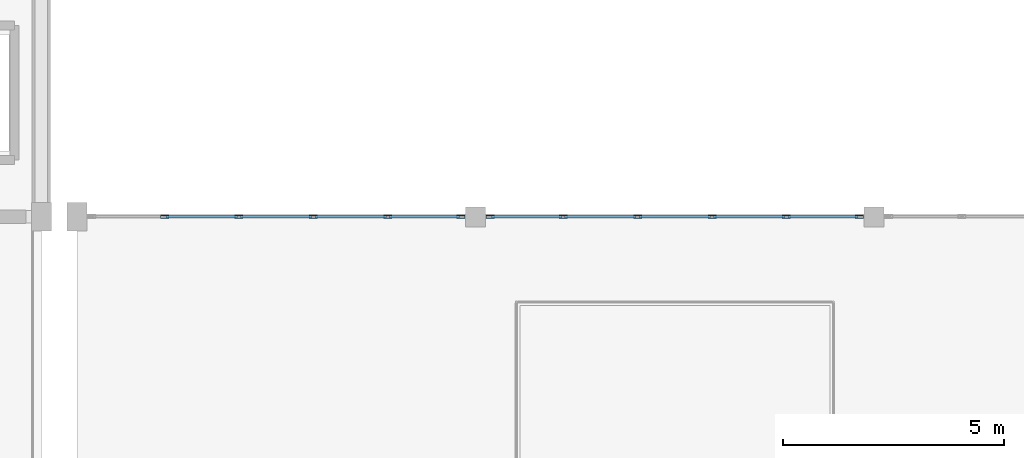
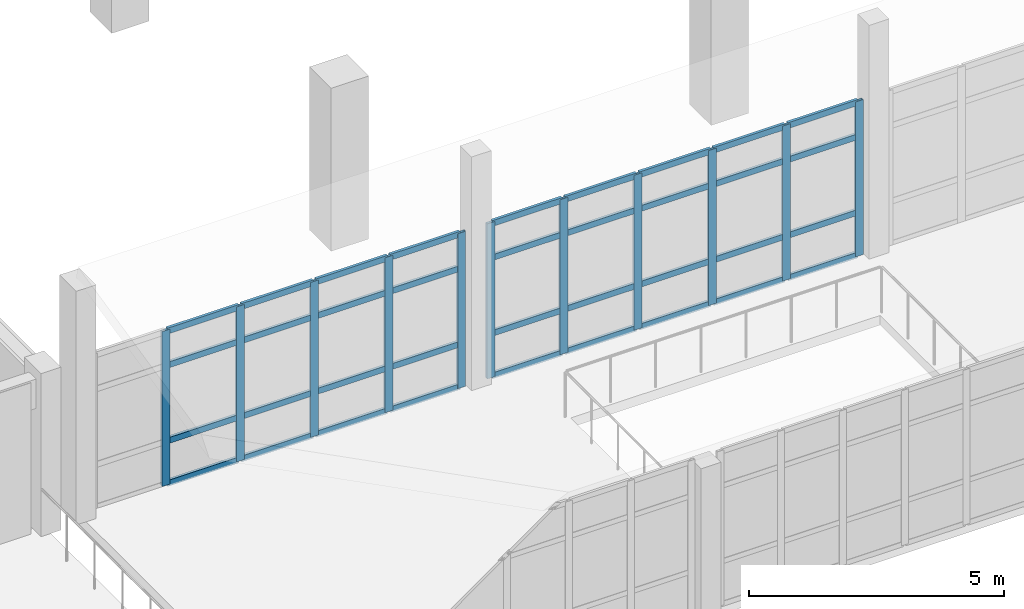
# One storey, part 78 of 156: 47 members, 2 elements without a shape of their own.
"""IFC4 building model written with IfcOpenShell, lengths in metres."""

from ifc_helpers import new_model, si_unit, direction, frame, origin, origin_2d, place, context, subcontext, project, spatial, hollow_rectangle, extrude, material, layer, layer_set, material_profile, profile_set, type_object, element, aggregate, save


model = new_model("IFC4")

# Units and contexts
model_context = context("Model", 3, precision=1e-05, world=origin(), true_north=direction((0.0, 1.0)))
body_context = subcontext(model_context, "Body", "Model", "MODEL_VIEW")
ifc_project = project(units=[si_unit("LENGTHUNIT", "METRE"), si_unit("AREAUNIT", "SQUARE_METRE"), si_unit("VOLUMEUNIT", "CUBIC_METRE"), si_unit("PLANEANGLEUNIT", "RADIAN"), si_unit("MASSUNIT", "GRAM", prefix="KILO")], contexts=[model_context])

# Site, building, storey
site_placement = place(None, origin())
site = spatial("IfcSite", under=ifc_project, at=site_placement, CompositionType="ELEMENT")
building_placement = place(site_placement, origin())
building = spatial("IfcBuilding", under=site, at=building_placement, Name="Ornek Quay Market", CompositionType="ELEMENT")
storey_placement = place(building_placement, frame((0.0, 0.0, 4.5)))
storey = spatial("IfcBuildingStorey", under=building, at=storey_placement, Name="L01", CompositionType="ELEMENT", Elevation=4.5)

# Curtain wall, members
ifc_material_1 = material(Name="Anodised bronze aluminium and triple low-e glass", Category="aluminium")
ifc_layer = layer(ifc_material_1, 0.199951171875, Name="Anodised bronze aluminium and triple low-e glass", Category="aluminium")
ifc_layer_set = layer_set([ifc_layer], Name="Anodised bronze aluminium and triple low-e glass")
curtain_wall_type = type_object("IfcCurtainWallType", Name="CW-CONC-MOD1800", PredefinedType="USERDEFINED", material=ifc_layer_set)
curtain_wall_1_placement = place(storey_placement, origin())
curtain_wall_1 = element("IfcCurtainWall", 1, at=curtain_wall_1_placement, inside=storey, type_object=curtain_wall_type, Name="Curtain wall CW-035", ObjectType="CURTAIN WALL", PredefinedType="USERDEFINED")
ifc_material_2 = material(Name="Anodised aluminium 6063-T6", Category="aluminium")
ifc_material_profile_1 = material_profile(ifc_material_2, hollow_rectangle(XDim=0.06494140625, YDim=0.179931640625, WallThickness=0.00439453125, at=origin_2d()), Name="CW-MUL-65x180", Category="aluminium")
ifc_profile_set_1 = profile_set([ifc_material_profile_1], Name="Anodised aluminium 6063-T6")
member_type_1 = type_object("IfcMemberType", Name="CW-MUL-65x180", PredefinedType="MULLION", material=ifc_profile_set_1)
member_1_placement = place(storey_placement, frame((127.97998046875, 29.0, 0.0), z_axis=(0.0, 0.0, 1.0), x_axis=(0.0, 1.0, 0.0)))
member_1 = element("IfcMember", 2, at=member_1_placement, type_object=member_type_1, Name="CW-035 mullion 2", PredefinedType="MULLION", context=body_context, shape_type="SweptSolid", body=[
    extrude(hollow_rectangle(XDim=0.06494140625, YDim=0.179931640625, WallThickness=0.00439453125, at=origin_2d()), origin(), (0.0, 0.0, 1.0), 3.7099609375),
])
member_2_placement = place(storey_placement, frame((129.659912109375, 29.0, 0.0), z_axis=(0.0, 0.0, 1.0), x_axis=(0.0, 1.0, 0.0)))
member_2 = element("IfcMember", 3, at=member_2_placement, type_object=member_type_1, Name="CW-035 mullion 3", PredefinedType="MULLION", context=body_context, shape_type="SweptSolid", body=[
    extrude(hollow_rectangle(XDim=0.06494140625, YDim=0.179931640625, WallThickness=0.00439453125, at=origin_2d()), origin(), (0.0, 0.0, 1.0), 3.7099609375),
])
member_3_placement = place(storey_placement, frame((131.340087890625, 29.0, 0.0), z_axis=(0.0, 0.0, 1.0), x_axis=(0.0, 1.0, 0.0)))
member_3 = element("IfcMember", 4, at=member_3_placement, type_object=member_type_1, Name="CW-035 mullion 4", PredefinedType="MULLION", context=body_context, shape_type="SweptSolid", body=[
    extrude(hollow_rectangle(XDim=0.06494140625, YDim=0.179931640625, WallThickness=0.00439453125, at=origin_2d()), origin(), (0.0, 0.0, 1.0), 3.7099609375),
])
member_4_placement = place(storey_placement, frame((133.02001953125, 29.0, 0.0), z_axis=(0.0, 0.0, 1.0), x_axis=(0.0, 1.0, 0.0)))
member_4 = element("IfcMember", 5, at=member_4_placement, type_object=member_type_1, Name="CW-035 mullion 5", PredefinedType="MULLION", context=body_context, shape_type="SweptSolid", body=[
    extrude(hollow_rectangle(XDim=0.06494140625, YDim=0.179931640625, WallThickness=0.00439453125, at=origin_2d()), origin(), (0.0, 0.0, 1.0), 3.7099609375),
])
member_5_placement = place(storey_placement, frame((134.66748046875, 29.0, 0.0), z_axis=(0.0, 0.0, 1.0), x_axis=(0.0, 1.0, 0.0)))
member_5 = element("IfcMember", 6, at=member_5_placement, type_object=member_type_1, Name="CW-035 mullion 6", PredefinedType="MULLION", context=body_context, shape_type="SweptSolid", body=[
    extrude(hollow_rectangle(XDim=0.06494140625, YDim=0.179931640625, WallThickness=0.00439453125, at=origin_2d()), origin(), (0.0, 0.0, 1.0), 3.7099609375),
])

curtain_wall_2_placement = place(storey_placement, origin())
curtain_wall_2 = element("IfcCurtainWall", 7, at=curtain_wall_2_placement, inside=storey, type_object=curtain_wall_type, Name="Curtain wall CW-039", ObjectType="CURTAIN WALL", PredefinedType="USERDEFINED")
member_6_placement = place(storey_placement, frame((135.33251953125, 29.0, 0.0), z_axis=(0.0, 0.0, 1.0), x_axis=(0.0, 1.0, 0.0)))
member_6 = element("IfcMember", 8, at=member_6_placement, type_object=member_type_1, Name="CW-039 mullion 1", PredefinedType="MULLION", context=body_context, shape_type="SweptSolid", body=[
    extrude(hollow_rectangle(XDim=0.06494140625, YDim=0.179931640625, WallThickness=0.00439453125, at=origin_2d()), origin(), (0.0, 0.0, 1.0), 3.7099609375),
])
member_7_placement = place(storey_placement, frame((136.97998046875, 29.0, 0.0), z_axis=(0.0, 0.0, 1.0), x_axis=(0.0, 1.0, 0.0)))
member_7 = element("IfcMember", 9, at=member_7_placement, type_object=member_type_1, Name="CW-039 mullion 2", PredefinedType="MULLION", context=body_context, shape_type="SweptSolid", body=[
    extrude(hollow_rectangle(XDim=0.06494140625, YDim=0.179931640625, WallThickness=0.00439453125, at=origin_2d()), origin(), (0.0, 0.0, 1.0), 3.7099609375),
])
member_8_placement = place(storey_placement, frame((138.659912109375, 29.0, 0.0), z_axis=(0.0, 0.0, 1.0), x_axis=(0.0, 1.0, 0.0)))
member_8 = element("IfcMember", 10, at=member_8_placement, type_object=member_type_1, Name="CW-039 mullion 3", PredefinedType="MULLION", context=body_context, shape_type="SweptSolid", body=[
    extrude(hollow_rectangle(XDim=0.06494140625, YDim=0.179931640625, WallThickness=0.00439453125, at=origin_2d()), origin(), (0.0, 0.0, 1.0), 3.7099609375),
])
member_9_placement = place(storey_placement, frame((140.340087890625, 29.0, 0.0), z_axis=(0.0, 0.0, 1.0), x_axis=(0.0, 1.0, 0.0)))
member_9 = element("IfcMember", 11, at=member_9_placement, type_object=member_type_1, Name="CW-039 mullion 4", PredefinedType="MULLION", context=body_context, shape_type="SweptSolid", body=[
    extrude(hollow_rectangle(XDim=0.06494140625, YDim=0.179931640625, WallThickness=0.00439453125, at=origin_2d()), origin(), (0.0, 0.0, 1.0), 3.7099609375),
])
member_10_placement = place(storey_placement, frame((142.02001953125, 29.0, 0.0), z_axis=(0.0, 0.0, 1.0), x_axis=(0.0, 1.0, 0.0)))
member_10 = element("IfcMember", 12, at=member_10_placement, type_object=member_type_1, Name="CW-039 mullion 5", PredefinedType="MULLION", context=body_context, shape_type="SweptSolid", body=[
    extrude(hollow_rectangle(XDim=0.06494140625, YDim=0.179931640625, WallThickness=0.00439453125, at=origin_2d()), origin(), (0.0, 0.0, 1.0), 3.7099609375),
])
member_11_placement = place(storey_placement, frame((143.66748046875, 29.0, 0.0), z_axis=(0.0, 0.0, 1.0), x_axis=(0.0, 1.0, 0.0)))
member_11 = element("IfcMember", 13, at=member_11_placement, type_object=member_type_1, Name="CW-039 mullion 6", PredefinedType="MULLION", context=body_context, shape_type="SweptSolid", body=[
    extrude(hollow_rectangle(XDim=0.06494140625, YDim=0.179931640625, WallThickness=0.00439453125, at=origin_2d()), origin(), (0.0, 0.0, 1.0), 3.7099609375),
])

# Member
ifc_material_profile_2 = material_profile(ifc_material_2, hollow_rectangle(XDim=0.06494140625, YDim=0.139892578125, WallThickness=0.00439453125, at=origin_2d()), Name="CW-TRN-65x140", Category="aluminium")
ifc_profile_set_2 = profile_set([ifc_material_profile_2], Name="Anodised aluminium 6063-T6")
member_type_2 = type_object("IfcMemberType", Name="CW-TRN-65x140", PredefinedType="USERDEFINED", material=ifc_profile_set_2)
member_12_placement = place(storey_placement, frame((128.012451171875, 29.0, 0.032470703125), z_axis=(1.0, 0.0, 0.0), x_axis=(0.0, 1.0, 0.0)))
member_12 = element("IfcMember", 14, at=member_12_placement, type_object=member_type_2, Name="CW-035 transom 2.1", ObjectType="TRANSOM", PredefinedType="USERDEFINED", context=body_context, shape_type="SweptSolid", body=[
    extrude(hollow_rectangle(XDim=0.06494140625, YDim=0.139892578125, WallThickness=0.00439453125, at=origin_2d()), origin(), (0.0, 0.0, 1.0), 1.614990234375),
])

member_13_placement = place(storey_placement, frame((128.012451171875, 29.0, 1.050048828125), z_axis=(1.0, 0.0, 0.0), x_axis=(0.0, 1.0, 0.0)))
member_13 = element("IfcMember", 15, at=member_13_placement, type_object=member_type_2, Name="CW-035 transom 2.2", ObjectType="TRANSOM", PredefinedType="USERDEFINED", context=body_context, shape_type="SweptSolid", body=[
    extrude(hollow_rectangle(XDim=0.06494140625, YDim=0.139892578125, WallThickness=0.00439453125, at=origin_2d()), origin(), (0.0, 0.0, 1.0), 1.614990234375),
])

member_14_placement = place(storey_placement, frame((128.012451171875, 29.0, 2.860107421875), z_axis=(1.0, 0.0, 0.0), x_axis=(0.0, 1.0, 0.0)))
member_14 = element("IfcMember", 16, at=member_14_placement, type_object=member_type_2, Name="CW-035 transom 2.3", ObjectType="TRANSOM", PredefinedType="USERDEFINED", context=body_context, shape_type="SweptSolid", body=[
    extrude(hollow_rectangle(XDim=0.06494140625, YDim=0.139892578125, WallThickness=0.00439453125, at=origin_2d()), origin(), (0.0, 0.0, 1.0), 1.614990234375),
])

member_15_placement = place(storey_placement, frame((128.012451171875, 29.0, 3.677490234375), z_axis=(1.0, 0.0, 0.0), x_axis=(0.0, 1.0, 0.0)))
member_15 = element("IfcMember", 17, at=member_15_placement, type_object=member_type_2, Name="CW-035 transom 2.4", ObjectType="TRANSOM", PredefinedType="USERDEFINED", context=body_context, shape_type="SweptSolid", body=[
    extrude(hollow_rectangle(XDim=0.06494140625, YDim=0.139892578125, WallThickness=0.00439453125, at=origin_2d()), origin(), (0.0, 0.0, 1.0), 1.614990234375),
])

member_16_placement = place(storey_placement, frame((129.6923828125, 29.0, 0.032470703125), z_axis=(1.0, 0.0, 0.0), x_axis=(0.0, 1.0, 0.0)))
member_16 = element("IfcMember", 18, at=member_16_placement, type_object=member_type_2, Name="CW-035 transom 3.1", ObjectType="TRANSOM", PredefinedType="USERDEFINED", context=body_context, shape_type="SweptSolid", body=[
    extrude(hollow_rectangle(XDim=0.06494140625, YDim=0.139892578125, WallThickness=0.00439453125, at=origin_2d()), origin(), (0.0, 0.0, 1.0), 1.615234375),
])

member_17_placement = place(storey_placement, frame((129.6923828125, 29.0, 1.050048828125), z_axis=(1.0, 0.0, 0.0), x_axis=(0.0, 1.0, 0.0)))
member_17 = element("IfcMember", 19, at=member_17_placement, type_object=member_type_2, Name="CW-035 transom 3.2", ObjectType="TRANSOM", PredefinedType="USERDEFINED", context=body_context, shape_type="SweptSolid", body=[
    extrude(hollow_rectangle(XDim=0.06494140625, YDim=0.139892578125, WallThickness=0.00439453125, at=origin_2d()), origin(), (0.0, 0.0, 1.0), 1.615234375),
])

member_18_placement = place(storey_placement, frame((129.6923828125, 29.0, 2.860107421875), z_axis=(1.0, 0.0, 0.0), x_axis=(0.0, 1.0, 0.0)))
member_18 = element("IfcMember", 20, at=member_18_placement, type_object=member_type_2, Name="CW-035 transom 3.3", ObjectType="TRANSOM", PredefinedType="USERDEFINED", context=body_context, shape_type="SweptSolid", body=[
    extrude(hollow_rectangle(XDim=0.06494140625, YDim=0.139892578125, WallThickness=0.00439453125, at=origin_2d()), origin(), (0.0, 0.0, 1.0), 1.615234375),
])

member_19_placement = place(storey_placement, frame((129.6923828125, 29.0, 3.677490234375), z_axis=(1.0, 0.0, 0.0), x_axis=(0.0, 1.0, 0.0)))
member_19 = element("IfcMember", 21, at=member_19_placement, type_object=member_type_2, Name="CW-035 transom 3.4", ObjectType="TRANSOM", PredefinedType="USERDEFINED", context=body_context, shape_type="SweptSolid", body=[
    extrude(hollow_rectangle(XDim=0.06494140625, YDim=0.139892578125, WallThickness=0.00439453125, at=origin_2d()), origin(), (0.0, 0.0, 1.0), 1.615234375),
])

member_20_placement = place(storey_placement, frame((131.37255859375, 29.0, 0.032470703125), z_axis=(1.0, 0.0, 0.0), x_axis=(0.0, 1.0, 0.0)))
member_20 = element("IfcMember", 22, at=member_20_placement, type_object=member_type_2, Name="CW-035 transom 4.1", ObjectType="TRANSOM", PredefinedType="USERDEFINED", context=body_context, shape_type="SweptSolid", body=[
    extrude(hollow_rectangle(XDim=0.06494140625, YDim=0.139892578125, WallThickness=0.00439453125, at=origin_2d()), origin(), (0.0, 0.0, 1.0), 1.614990234375),
])

member_21_placement = place(storey_placement, frame((131.37255859375, 29.0, 1.050048828125), z_axis=(1.0, 0.0, 0.0), x_axis=(0.0, 1.0, 0.0)))
member_21 = element("IfcMember", 23, at=member_21_placement, type_object=member_type_2, Name="CW-035 transom 4.2", ObjectType="TRANSOM", PredefinedType="USERDEFINED", context=body_context, shape_type="SweptSolid", body=[
    extrude(hollow_rectangle(XDim=0.06494140625, YDim=0.139892578125, WallThickness=0.00439453125, at=origin_2d()), origin(), (0.0, 0.0, 1.0), 1.614990234375),
])

member_22_placement = place(storey_placement, frame((131.37255859375, 29.0, 2.860107421875), z_axis=(1.0, 0.0, 0.0), x_axis=(0.0, 1.0, 0.0)))
member_22 = element("IfcMember", 24, at=member_22_placement, type_object=member_type_2, Name="CW-035 transom 4.3", ObjectType="TRANSOM", PredefinedType="USERDEFINED", context=body_context, shape_type="SweptSolid", body=[
    extrude(hollow_rectangle(XDim=0.06494140625, YDim=0.139892578125, WallThickness=0.00439453125, at=origin_2d()), origin(), (0.0, 0.0, 1.0), 1.614990234375),
])

member_23_placement = place(storey_placement, frame((131.37255859375, 29.0, 3.677490234375), z_axis=(1.0, 0.0, 0.0), x_axis=(0.0, 1.0, 0.0)))
member_23 = element("IfcMember", 25, at=member_23_placement, type_object=member_type_2, Name="CW-035 transom 4.4", ObjectType="TRANSOM", PredefinedType="USERDEFINED", context=body_context, shape_type="SweptSolid", body=[
    extrude(hollow_rectangle(XDim=0.06494140625, YDim=0.139892578125, WallThickness=0.00439453125, at=origin_2d()), origin(), (0.0, 0.0, 1.0), 1.614990234375),
])

member_24_placement = place(storey_placement, frame((133.052490234375, 29.0, 0.032470703125), z_axis=(1.0, 0.0, 0.0), x_axis=(0.0, 1.0, 0.0)))
member_24 = element("IfcMember", 26, at=member_24_placement, type_object=member_type_2, Name="CW-035 transom 5.1", ObjectType="TRANSOM", PredefinedType="USERDEFINED", context=body_context, shape_type="SweptSolid", body=[
    extrude(hollow_rectangle(XDim=0.06494140625, YDim=0.139892578125, WallThickness=0.00439453125, at=origin_2d()), origin(), (0.0, 0.0, 1.0), 1.58251953125),
])

member_25_placement = place(storey_placement, frame((133.052490234375, 29.0, 1.050048828125), z_axis=(1.0, 0.0, 0.0), x_axis=(0.0, 1.0, 0.0)))
member_25 = element("IfcMember", 27, at=member_25_placement, type_object=member_type_2, Name="CW-035 transom 5.2", ObjectType="TRANSOM", PredefinedType="USERDEFINED", context=body_context, shape_type="SweptSolid", body=[
    extrude(hollow_rectangle(XDim=0.06494140625, YDim=0.139892578125, WallThickness=0.00439453125, at=origin_2d()), origin(), (0.0, 0.0, 1.0), 1.58251953125),
])

member_26_placement = place(storey_placement, frame((133.052490234375, 29.0, 2.860107421875), z_axis=(1.0, 0.0, 0.0), x_axis=(0.0, 1.0, 0.0)))
member_26 = element("IfcMember", 28, at=member_26_placement, type_object=member_type_2, Name="CW-035 transom 5.3", ObjectType="TRANSOM", PredefinedType="USERDEFINED", context=body_context, shape_type="SweptSolid", body=[
    extrude(hollow_rectangle(XDim=0.06494140625, YDim=0.139892578125, WallThickness=0.00439453125, at=origin_2d()), origin(), (0.0, 0.0, 1.0), 1.58251953125),
])

member_27_placement = place(storey_placement, frame((133.052490234375, 29.0, 3.677490234375), z_axis=(1.0, 0.0, 0.0), x_axis=(0.0, 1.0, 0.0)))
member_27 = element("IfcMember", 29, at=member_27_placement, type_object=member_type_2, Name="CW-035 transom 5.4", ObjectType="TRANSOM", PredefinedType="USERDEFINED", context=body_context, shape_type="SweptSolid", body=[
    extrude(hollow_rectangle(XDim=0.06494140625, YDim=0.139892578125, WallThickness=0.00439453125, at=origin_2d()), origin(), (0.0, 0.0, 1.0), 1.58251953125),
])

aggregate(curtain_wall_1, [member_1, member_2, member_3, member_4, member_5, member_12, member_13, member_14, member_15, member_16, member_17, member_18, member_19, member_20, member_21, member_22, member_23, member_24, member_25, member_26, member_27])

member_28_placement = place(storey_placement, frame((135.364990234375, 29.0, 0.032470703125), z_axis=(1.0, 0.0, 0.0), x_axis=(0.0, 1.0, 0.0)))
member_28 = element("IfcMember", 30, at=member_28_placement, type_object=member_type_2, Name="CW-039 transom 1.1", ObjectType="TRANSOM", PredefinedType="USERDEFINED", context=body_context, shape_type="SweptSolid", body=[
    extrude(hollow_rectangle(XDim=0.06494140625, YDim=0.139892578125, WallThickness=0.00439453125, at=origin_2d()), origin(), (0.0, 0.0, 1.0), 1.58251953125),
])

member_29_placement = place(storey_placement, frame((135.364990234375, 29.0, 1.050048828125), z_axis=(1.0, 0.0, 0.0), x_axis=(0.0, 1.0, 0.0)))
member_29 = element("IfcMember", 31, at=member_29_placement, type_object=member_type_2, Name="CW-039 transom 1.2", ObjectType="TRANSOM", PredefinedType="USERDEFINED", context=body_context, shape_type="SweptSolid", body=[
    extrude(hollow_rectangle(XDim=0.06494140625, YDim=0.139892578125, WallThickness=0.00439453125, at=origin_2d()), origin(), (0.0, 0.0, 1.0), 1.58251953125),
])

member_30_placement = place(storey_placement, frame((135.364990234375, 29.0, 2.860107421875), z_axis=(1.0, 0.0, 0.0), x_axis=(0.0, 1.0, 0.0)))
member_30 = element("IfcMember", 32, at=member_30_placement, type_object=member_type_2, Name="CW-039 transom 1.3", ObjectType="TRANSOM", PredefinedType="USERDEFINED", context=body_context, shape_type="SweptSolid", body=[
    extrude(hollow_rectangle(XDim=0.06494140625, YDim=0.139892578125, WallThickness=0.00439453125, at=origin_2d()), origin(), (0.0, 0.0, 1.0), 1.58251953125),
])

member_31_placement = place(storey_placement, frame((135.364990234375, 29.0, 3.677490234375), z_axis=(1.0, 0.0, 0.0), x_axis=(0.0, 1.0, 0.0)))
member_31 = element("IfcMember", 33, at=member_31_placement, type_object=member_type_2, Name="CW-039 transom 1.4", ObjectType="TRANSOM", PredefinedType="USERDEFINED", context=body_context, shape_type="SweptSolid", body=[
    extrude(hollow_rectangle(XDim=0.06494140625, YDim=0.139892578125, WallThickness=0.00439453125, at=origin_2d()), origin(), (0.0, 0.0, 1.0), 1.58251953125),
])

member_32_placement = place(storey_placement, frame((137.012451171875, 29.0, 0.032470703125), z_axis=(1.0, 0.0, 0.0), x_axis=(0.0, 1.0, 0.0)))
member_32 = element("IfcMember", 34, at=member_32_placement, type_object=member_type_2, Name="CW-039 transom 2.1", ObjectType="TRANSOM", PredefinedType="USERDEFINED", context=body_context, shape_type="SweptSolid", body=[
    extrude(hollow_rectangle(XDim=0.06494140625, YDim=0.139892578125, WallThickness=0.00439453125, at=origin_2d()), origin(), (0.0, 0.0, 1.0), 1.614990234375),
])

member_33_placement = place(storey_placement, frame((137.012451171875, 29.0, 1.050048828125), z_axis=(1.0, 0.0, 0.0), x_axis=(0.0, 1.0, 0.0)))
member_33 = element("IfcMember", 35, at=member_33_placement, type_object=member_type_2, Name="CW-039 transom 2.2", ObjectType="TRANSOM", PredefinedType="USERDEFINED", context=body_context, shape_type="SweptSolid", body=[
    extrude(hollow_rectangle(XDim=0.06494140625, YDim=0.139892578125, WallThickness=0.00439453125, at=origin_2d()), origin(), (0.0, 0.0, 1.0), 1.614990234375),
])

member_34_placement = place(storey_placement, frame((137.012451171875, 29.0, 2.860107421875), z_axis=(1.0, 0.0, 0.0), x_axis=(0.0, 1.0, 0.0)))
member_34 = element("IfcMember", 36, at=member_34_placement, type_object=member_type_2, Name="CW-039 transom 2.3", ObjectType="TRANSOM", PredefinedType="USERDEFINED", context=body_context, shape_type="SweptSolid", body=[
    extrude(hollow_rectangle(XDim=0.06494140625, YDim=0.139892578125, WallThickness=0.00439453125, at=origin_2d()), origin(), (0.0, 0.0, 1.0), 1.614990234375),
])

member_35_placement = place(storey_placement, frame((137.012451171875, 29.0, 3.677490234375), z_axis=(1.0, 0.0, 0.0), x_axis=(0.0, 1.0, 0.0)))
member_35 = element("IfcMember", 37, at=member_35_placement, type_object=member_type_2, Name="CW-039 transom 2.4", ObjectType="TRANSOM", PredefinedType="USERDEFINED", context=body_context, shape_type="SweptSolid", body=[
    extrude(hollow_rectangle(XDim=0.06494140625, YDim=0.139892578125, WallThickness=0.00439453125, at=origin_2d()), origin(), (0.0, 0.0, 1.0), 1.614990234375),
])

member_36_placement = place(storey_placement, frame((138.6923828125, 29.0, 0.032470703125), z_axis=(1.0, 0.0, 0.0), x_axis=(0.0, 1.0, 0.0)))
member_36 = element("IfcMember", 38, at=member_36_placement, type_object=member_type_2, Name="CW-039 transom 3.1", ObjectType="TRANSOM", PredefinedType="USERDEFINED", context=body_context, shape_type="SweptSolid", body=[
    extrude(hollow_rectangle(XDim=0.06494140625, YDim=0.139892578125, WallThickness=0.00439453125, at=origin_2d()), origin(), (0.0, 0.0, 1.0), 1.615234375),
])

member_37_placement = place(storey_placement, frame((138.6923828125, 29.0, 1.050048828125), z_axis=(1.0, 0.0, 0.0), x_axis=(0.0, 1.0, 0.0)))
member_37 = element("IfcMember", 39, at=member_37_placement, type_object=member_type_2, Name="CW-039 transom 3.2", ObjectType="TRANSOM", PredefinedType="USERDEFINED", context=body_context, shape_type="SweptSolid", body=[
    extrude(hollow_rectangle(XDim=0.06494140625, YDim=0.139892578125, WallThickness=0.00439453125, at=origin_2d()), origin(), (0.0, 0.0, 1.0), 1.615234375),
])

member_38_placement = place(storey_placement, frame((138.6923828125, 29.0, 2.860107421875), z_axis=(1.0, 0.0, 0.0), x_axis=(0.0, 1.0, 0.0)))
member_38 = element("IfcMember", 40, at=member_38_placement, type_object=member_type_2, Name="CW-039 transom 3.3", ObjectType="TRANSOM", PredefinedType="USERDEFINED", context=body_context, shape_type="SweptSolid", body=[
    extrude(hollow_rectangle(XDim=0.06494140625, YDim=0.139892578125, WallThickness=0.00439453125, at=origin_2d()), origin(), (0.0, 0.0, 1.0), 1.615234375),
])

member_39_placement = place(storey_placement, frame((138.6923828125, 29.0, 3.677490234375), z_axis=(1.0, 0.0, 0.0), x_axis=(0.0, 1.0, 0.0)))
member_39 = element("IfcMember", 41, at=member_39_placement, type_object=member_type_2, Name="CW-039 transom 3.4", ObjectType="TRANSOM", PredefinedType="USERDEFINED", context=body_context, shape_type="SweptSolid", body=[
    extrude(hollow_rectangle(XDim=0.06494140625, YDim=0.139892578125, WallThickness=0.00439453125, at=origin_2d()), origin(), (0.0, 0.0, 1.0), 1.615234375),
])

member_40_placement = place(storey_placement, frame((140.37255859375, 29.0, 0.032470703125), z_axis=(1.0, 0.0, 0.0), x_axis=(0.0, 1.0, 0.0)))
member_40 = element("IfcMember", 42, at=member_40_placement, type_object=member_type_2, Name="CW-039 transom 4.1", ObjectType="TRANSOM", PredefinedType="USERDEFINED", context=body_context, shape_type="SweptSolid", body=[
    extrude(hollow_rectangle(XDim=0.06494140625, YDim=0.139892578125, WallThickness=0.00439453125, at=origin_2d()), origin(), (0.0, 0.0, 1.0), 1.614990234375),
])

member_41_placement = place(storey_placement, frame((140.37255859375, 29.0, 1.050048828125), z_axis=(1.0, 0.0, 0.0), x_axis=(0.0, 1.0, 0.0)))
member_41 = element("IfcMember", 43, at=member_41_placement, type_object=member_type_2, Name="CW-039 transom 4.2", ObjectType="TRANSOM", PredefinedType="USERDEFINED", context=body_context, shape_type="SweptSolid", body=[
    extrude(hollow_rectangle(XDim=0.06494140625, YDim=0.139892578125, WallThickness=0.00439453125, at=origin_2d()), origin(), (0.0, 0.0, 1.0), 1.614990234375),
])

member_42_placement = place(storey_placement, frame((140.37255859375, 29.0, 2.860107421875), z_axis=(1.0, 0.0, 0.0), x_axis=(0.0, 1.0, 0.0)))
member_42 = element("IfcMember", 44, at=member_42_placement, type_object=member_type_2, Name="CW-039 transom 4.3", ObjectType="TRANSOM", PredefinedType="USERDEFINED", context=body_context, shape_type="SweptSolid", body=[
    extrude(hollow_rectangle(XDim=0.06494140625, YDim=0.139892578125, WallThickness=0.00439453125, at=origin_2d()), origin(), (0.0, 0.0, 1.0), 1.614990234375),
])

member_43_placement = place(storey_placement, frame((140.37255859375, 29.0, 3.677490234375), z_axis=(1.0, 0.0, 0.0), x_axis=(0.0, 1.0, 0.0)))
member_43 = element("IfcMember", 45, at=member_43_placement, type_object=member_type_2, Name="CW-039 transom 4.4", ObjectType="TRANSOM", PredefinedType="USERDEFINED", context=body_context, shape_type="SweptSolid", body=[
    extrude(hollow_rectangle(XDim=0.06494140625, YDim=0.139892578125, WallThickness=0.00439453125, at=origin_2d()), origin(), (0.0, 0.0, 1.0), 1.614990234375),
])

member_44_placement = place(storey_placement, frame((142.052490234375, 29.0, 0.032470703125), z_axis=(1.0, 0.0, 0.0), x_axis=(0.0, 1.0, 0.0)))
member_44 = element("IfcMember", 46, at=member_44_placement, type_object=member_type_2, Name="CW-039 transom 5.1", ObjectType="TRANSOM", PredefinedType="USERDEFINED", context=body_context, shape_type="SweptSolid", body=[
    extrude(hollow_rectangle(XDim=0.06494140625, YDim=0.139892578125, WallThickness=0.00439453125, at=origin_2d()), origin(), (0.0, 0.0, 1.0), 1.58251953125),
])

member_45_placement = place(storey_placement, frame((142.052490234375, 29.0, 1.050048828125), z_axis=(1.0, 0.0, 0.0), x_axis=(0.0, 1.0, 0.0)))
member_45 = element("IfcMember", 47, at=member_45_placement, type_object=member_type_2, Name="CW-039 transom 5.2", ObjectType="TRANSOM", PredefinedType="USERDEFINED", context=body_context, shape_type="SweptSolid", body=[
    extrude(hollow_rectangle(XDim=0.06494140625, YDim=0.139892578125, WallThickness=0.00439453125, at=origin_2d()), origin(), (0.0, 0.0, 1.0), 1.58251953125),
])

member_46_placement = place(storey_placement, frame((142.052490234375, 29.0, 2.860107421875), z_axis=(1.0, 0.0, 0.0), x_axis=(0.0, 1.0, 0.0)))
member_46 = element("IfcMember", 48, at=member_46_placement, type_object=member_type_2, Name="CW-039 transom 5.3", ObjectType="TRANSOM", PredefinedType="USERDEFINED", context=body_context, shape_type="SweptSolid", body=[
    extrude(hollow_rectangle(XDim=0.06494140625, YDim=0.139892578125, WallThickness=0.00439453125, at=origin_2d()), origin(), (0.0, 0.0, 1.0), 1.58251953125),
])

member_47_placement = place(storey_placement, frame((142.052490234375, 29.0, 3.677490234375), z_axis=(1.0, 0.0, 0.0), x_axis=(0.0, 1.0, 0.0)))
member_47 = element("IfcMember", 49, at=member_47_placement, type_object=member_type_2, Name="CW-039 transom 5.4", ObjectType="TRANSOM", PredefinedType="USERDEFINED", context=body_context, shape_type="SweptSolid", body=[
    extrude(hollow_rectangle(XDim=0.06494140625, YDim=0.139892578125, WallThickness=0.00439453125, at=origin_2d()), origin(), (0.0, 0.0, 1.0), 1.58251953125),
])

aggregate(curtain_wall_2, [member_6, member_7, member_8, member_9, member_10, member_11, member_28, member_29, member_30, member_31, member_32, member_33, member_34, member_35, member_36, member_37, member_38, member_39, member_40, member_41, member_42, member_43, member_44, member_45, member_46, member_47])

save(model, "model.ifc")
